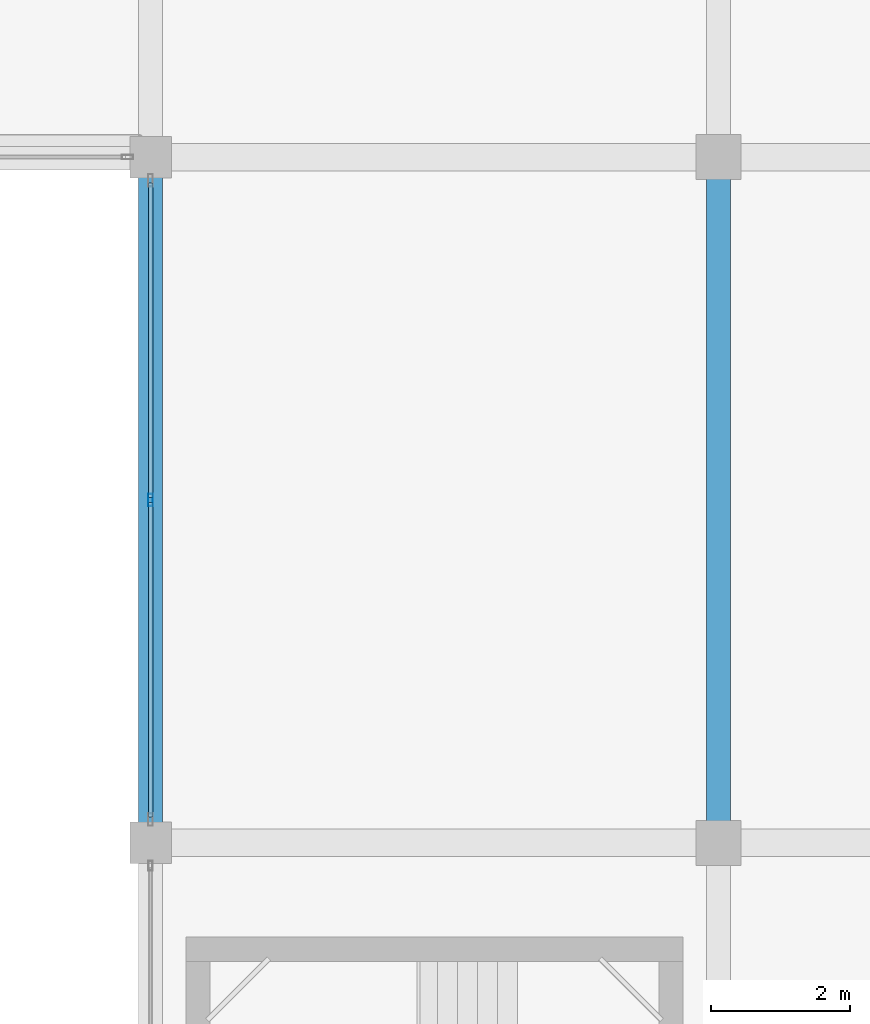
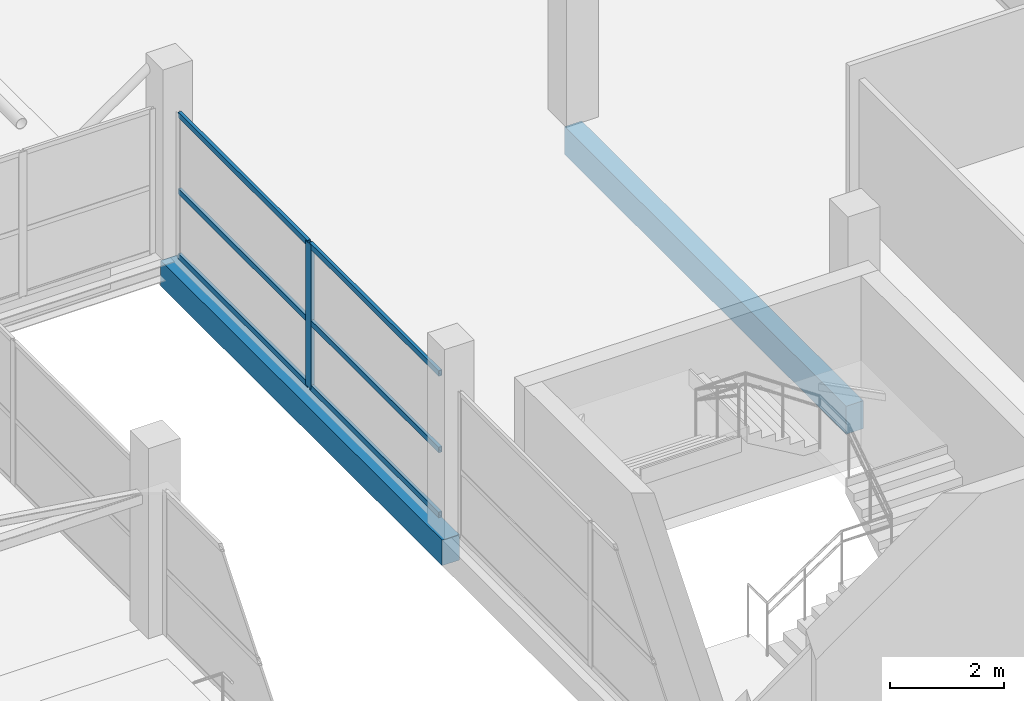
# One storey, part 36 of 66: 7 members, 2 beams, 1 element without a shape of its own.
"""IFC4 building model written with IfcOpenShell, lengths in metres."""

from ifc_helpers import new_model, si_unit, direction, frame, origin, origin_2d, place, context, subcontext, project, spatial, rectangle, hollow_rectangle, extrude, material, layer, layer_set, material_profile, profile_set, type_object, element, aggregate, save


model = new_model("IFC4")

# Units and contexts
model_context = context("Model", 3, precision=1e-05, world=origin(), true_north=direction((0.0, 1.0)))
body_context = subcontext(model_context, "Body", "Model", "MODEL_VIEW")
ifc_project = project(units=[si_unit("LENGTHUNIT", "METRE"), si_unit("AREAUNIT", "SQUARE_METRE"), si_unit("VOLUMEUNIT", "CUBIC_METRE"), si_unit("PLANEANGLEUNIT", "RADIAN"), si_unit("MASSUNIT", "GRAM", prefix="KILO")], contexts=[model_context])

# Site, building, storey
site_placement = place(None, origin())
site = spatial("IfcSite", under=ifc_project, at=site_placement, CompositionType="ELEMENT")
building_placement = place(site_placement, origin())
building = spatial("IfcBuilding", under=site, at=building_placement, Name="Sillaruma Civic Art Gallery", CompositionType="ELEMENT")
storey_placement = place(building_placement, frame((0.0, 0.0, 62.219970703125)))
storey = spatial("IfcBuildingStorey", under=building, at=storey_placement, Name="L12", CompositionType="ELEMENT", Elevation=62.219970703125)

# Beams
ifc_material_1 = material(Name="Concrete H35 (35 MPa)", Category="concrete")
ifc_material_profile_1 = material_profile(ifc_material_1, rectangle(XDim=0.35009765625, YDim=0.60009765625, at=origin_2d()), Name="RCB350x600")
ifc_profile_set_1 = profile_set([ifc_material_profile_1], Name="Concrete H35 (35 MPa)")
beam_type_1 = type_object("IfcBeamType", Name="BM-BEAM-RCB350x600", PredefinedType="BEAM", material=ifc_profile_set_1)
beam_1_placement = place(storey_placement, frame((106.199951171875, 59.39990234375, -0.530029296875), z_axis=(0.0, 1.0, 0.0), x_axis=(-1.0, 0.0, 0.0)))
element("IfcBeam", 1, at=beam_1_placement, inside=storey, type_object=beam_type_1, Name="Beam BM-06 (L11:M:7-8)", PredefinedType="BEAM", context=body_context, shape_type="SweptSolid", body=[
    extrude(rectangle(XDim=0.35009765625, YDim=0.60009765625, at=origin_2d()), origin(), (0.0, 0.0, 1.0), 9.900146484375),
])
ifc_material_profile_2 = material_profile(ifc_material_1, rectangle(XDim=0.35009765625, YDim=0.550048828125, at=origin_2d()), Name="RCB350x550")
ifc_profile_set_2 = profile_set([ifc_material_profile_2], Name="Concrete H35 (35 MPa)")
beam_type_2 = type_object("IfcBeamType", Name="BM-SPANDREL-RCB350x550", PredefinedType="SPANDREL", material=ifc_profile_set_2)
beam_2_placement = place(storey_placement, frame((98.0, 59.39990234375, -0.5048828125), z_axis=(0.0, 1.0, 0.0), x_axis=(-1.0, 0.0, 0.0)))
element("IfcBeam", 2, at=beam_2_placement, inside=storey, type_object=beam_type_2, Name="Beam BS-04 (L11:L:7-8)", PredefinedType="SPANDREL", context=body_context, shape_type="SweptSolid", body=[
    extrude(rectangle(XDim=0.35009765625, YDim=0.550048828125, at=origin_2d()), origin(), (0.0, 0.0, 1.0), 9.900146484375),
])

# Curtain wall, members
ifc_material_2 = material(Name="Thermally Broken Extruded Aluminium 6063-T6", Category="aluminium")
ifc_layer = layer(ifc_material_2, 0.179931640625, Name="Thermally Broken Extruded Aluminium 6063-T6")
ifc_layer_set = layer_set([ifc_layer], Name="Thermally Broken Extruded Aluminium 6063-T6")
curtain_wall_type = type_object("IfcCurtainWallType", Name="CW-UNI-100", PredefinedType="NOTDEFINED", material=ifc_layer_set)
curtain_wall_placement = place(storey_placement, origin())
curtain_wall = element("IfcCurtainWall", 3, at=curtain_wall_placement, inside=storey, type_object=curtain_wall_type, Name="Unitised Curtain Wall CW-100 (CW-L12-EBW-5)", PredefinedType="NOTDEFINED")
ifc_material_profile_3 = material_profile(ifc_material_2, hollow_rectangle(XDim=0.070068359375, YDim=0.179931640625, WallThickness=0.00390625, at=origin_2d()), Name="CWM70x180")
ifc_profile_set_3 = profile_set([ifc_material_profile_3], Name="Thermally Broken Extruded Aluminium 6063-T6")
member_type_1 = type_object("IfcMemberType", Name="MEM-MUL-CWM70x180", PredefinedType="MULLION", material=ifc_profile_set_3)
member_1_placement = place(storey_placement, frame((98.0, 64.35009765625, 0.0), z_axis=(0.0, 0.0, 1.0), x_axis=(-1.0, 0.0, 0.0)))
member_1 = element("IfcMember", 4, at=member_1_placement, type_object=member_type_1, Name="CW-100 mullion 2", PredefinedType="MULLION", context=body_context, shape_type="SweptSolid", body=[
    extrude(hollow_rectangle(XDim=0.070068359375, YDim=0.179931640625, WallThickness=0.00390625, at=origin_2d()), origin(), (0.0, 0.0, 1.0), 3.10009765625),
])
ifc_material_profile_4 = material_profile(ifc_material_2, hollow_rectangle(XDim=0.06494140625, YDim=0.1201171875, WallThickness=0.00341796875, at=origin_2d()), Name="CWT65x120")
ifc_profile_set_4 = profile_set([ifc_material_profile_4], Name="Thermally Broken Extruded Aluminium 6063-T6")
member_type_2 = type_object("IfcMemberType", Name="MEM-TRN-CWT65x120", PredefinedType="USERDEFINED", material=ifc_profile_set_4)
member_2_placement = place(storey_placement, frame((98.0, 59.77001953125, 0.032470703125), z_axis=(0.0, 1.0, 0.0), x_axis=(-1.0, 0.0, 0.0)))
member_2 = element("IfcMember", 5, at=member_2_placement, type_object=member_type_2, Name="CW-100 transom 1.1", ObjectType="TRANSOM", PredefinedType="USERDEFINED", context=body_context, shape_type="SweptSolid", body=[
    extrude(hollow_rectangle(XDim=0.06494140625, YDim=0.1201171875, WallThickness=0.00341796875, at=origin_2d()), origin(), (0.0, 0.0, 1.0), 4.544921875),
])
member_3_placement = place(storey_placement, frame((98.0, 59.77001953125, 1.426025390625), z_axis=(0.0, 1.0, 0.0), x_axis=(-1.0, 0.0, 0.0)))
member_3 = element("IfcMember", 6, at=member_3_placement, type_object=member_type_2, Name="CW-100 transom 1.2", ObjectType="TRANSOM", PredefinedType="USERDEFINED", context=body_context, shape_type="SweptSolid", body=[
    extrude(hollow_rectangle(XDim=0.06494140625, YDim=0.1201171875, WallThickness=0.00341796875, at=origin_2d()), origin(), (0.0, 0.0, 1.0), 4.544921875),
])
member_4_placement = place(storey_placement, frame((98.0, 59.77001953125, 3.067626953125), z_axis=(0.0, 1.0, 0.0), x_axis=(-1.0, 0.0, 0.0)))
member_4 = element("IfcMember", 7, at=member_4_placement, type_object=member_type_2, Name="CW-100 transom 1.3", ObjectType="TRANSOM", PredefinedType="USERDEFINED", context=body_context, shape_type="SweptSolid", body=[
    extrude(hollow_rectangle(XDim=0.06494140625, YDim=0.1201171875, WallThickness=0.00341796875, at=origin_2d()), origin(), (0.0, 0.0, 1.0), 4.544921875),
])
member_5_placement = place(storey_placement, frame((98.0, 64.385009765625, 0.032470703125), z_axis=(0.0, 1.0, 0.0), x_axis=(-1.0, 0.0, 0.0)))
member_5 = element("IfcMember", 8, at=member_5_placement, type_object=member_type_2, Name="CW-100 transom 2.1", ObjectType="TRANSOM", PredefinedType="USERDEFINED", context=body_context, shape_type="SweptSolid", body=[
    extrude(hollow_rectangle(XDim=0.06494140625, YDim=0.1201171875, WallThickness=0.00341796875, at=origin_2d()), origin(), (0.0, 0.0, 1.0), 4.544921875),
])
member_6_placement = place(storey_placement, frame((98.0, 64.385009765625, 1.426025390625), z_axis=(0.0, 1.0, 0.0), x_axis=(-1.0, 0.0, 0.0)))
member_6 = element("IfcMember", 9, at=member_6_placement, type_object=member_type_2, Name="CW-100 transom 2.2", ObjectType="TRANSOM", PredefinedType="USERDEFINED", context=body_context, shape_type="SweptSolid", body=[
    extrude(hollow_rectangle(XDim=0.06494140625, YDim=0.1201171875, WallThickness=0.00341796875, at=origin_2d()), origin(), (0.0, 0.0, 1.0), 4.544921875),
])
member_7_placement = place(storey_placement, frame((98.0, 64.385009765625, 3.067626953125), z_axis=(0.0, 1.0, 0.0), x_axis=(-1.0, 0.0, 0.0)))
member_7 = element("IfcMember", 10, at=member_7_placement, type_object=member_type_2, Name="CW-100 transom 2.3", ObjectType="TRANSOM", PredefinedType="USERDEFINED", context=body_context, shape_type="SweptSolid", body=[
    extrude(hollow_rectangle(XDim=0.06494140625, YDim=0.1201171875, WallThickness=0.00341796875, at=origin_2d()), origin(), (0.0, 0.0, 1.0), 4.544921875),
])
aggregate(curtain_wall, [member_1, member_2, member_3, member_4, member_5, member_6, member_7])

save(model, "model.ifc")
